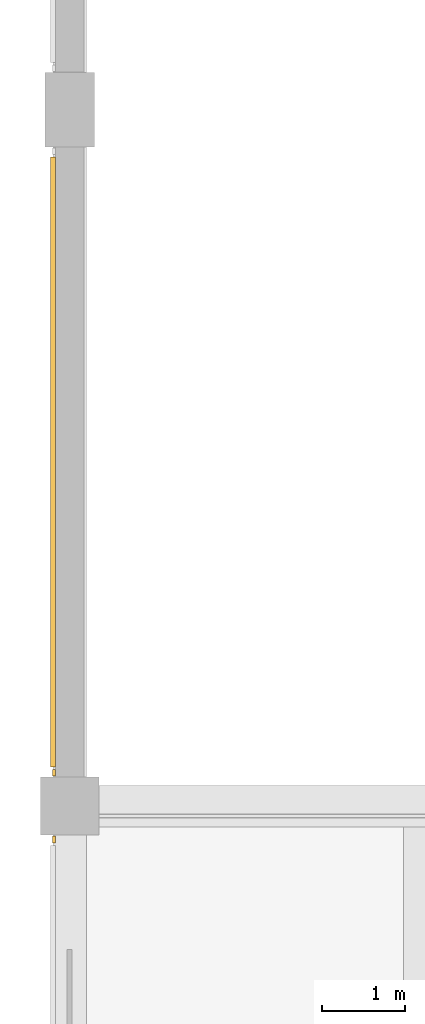
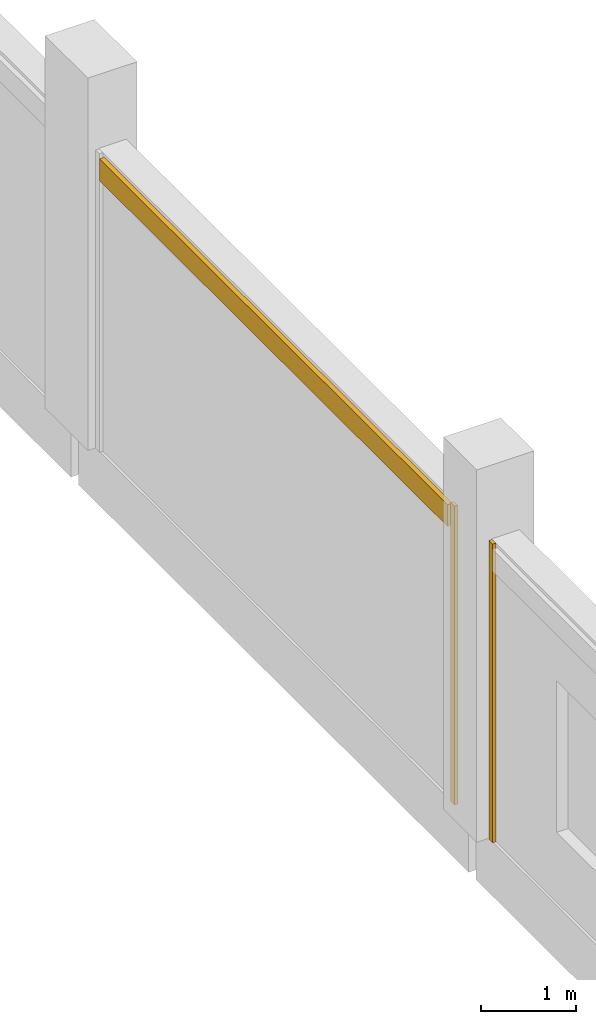
# One storey, part 121 of 128: 3 coverings.
"""IFC4 building model written with IfcOpenShell, lengths in metres."""

from ifc_helpers import new_model, si_unit, direction, frame, origin, origin_2d, place, context, subcontext, project, spatial, rectangle, extrude, material, layer, layer_set, type_object, element, save


model = new_model("IFC4")

# Units and contexts
model_context = context("Model", 3, precision=1e-05, world=origin(), true_north=direction((0.0, 1.0)))
body_context = subcontext(model_context, "Body", "Model", "MODEL_VIEW")
ifc_project = project(units=[si_unit("LENGTHUNIT", "METRE"), si_unit("AREAUNIT", "SQUARE_METRE"), si_unit("VOLUMEUNIT", "CUBIC_METRE"), si_unit("PLANEANGLEUNIT", "RADIAN"), si_unit("MASSUNIT", "GRAM", prefix="KILO")], contexts=[model_context])

# Site, building, storey
site_placement = place(None, origin())
site = spatial("IfcSite", under=ifc_project, at=site_placement, CompositionType="ELEMENT")
building_placement = place(site_placement, origin())
building = spatial("IfcBuilding", under=site, at=building_placement, Name="Telukmera Botanical Conservatory", CompositionType="ELEMENT")
storey_placement = place(building_placement, frame((0.0, 0.0, 5.39990234375)))
storey = spatial("IfcBuildingStorey", under=building, at=storey_placement, Name="L01", CompositionType="ELEMENT", Elevation=5.39990234375)

# Coverings
ifc_material_1 = material(Name="Granite-faced precast concrete C40/50", Category="masonry")
ifc_layer_1 = layer(ifc_material_1, 0.0400390625)
ifc_layer_set_1 = layer_set([ifc_layer_1], Name="Granite-faced precast concrete C40/50")
covering_type_1 = type_object("IfcCoveringType", Name="Granite Precast Column Pier Reveal Casing", PredefinedType="CLADDING", material=ifc_layer_set_1)
for number, where, z_axis, x_axis, name in (
    (1, (8.2099609375, 91.197998046875, 0.0), (0.0, 0.0, 1.0), (0.0, 1.0, 0.0), "Granite Pier Reveal V2:L01:W1 R"),
    (2, (8.2099609375, 92.001953125, 0.0), (0.0, 0.0, 1.0), (0.0, 1.0, 0.0), "Granite Pier Reveal V2:L01:W2 L"),
):
    element("IfcCovering", number, at=place(storey_placement, frame(where, z_axis=z_axis, x_axis=x_axis)), inside=storey, type_object=covering_type_1, Name=name, PredefinedType="CLADDING", context=body_context, shape_type="SweptSolid", body=[
        extrude(rectangle(XDim=0.080078125, YDim=0.0400390625, at=origin_2d()), origin(), (0.0, 0.0, 1.0), 3.85009765625),
    ])
ifc_material_2 = material(Name="Terracotta-faced precast concrete C40/50", Category="masonry")
ifc_layer_2 = layer(ifc_material_2, 0.06005859375)
ifc_layer_set_2 = layer_set([ifc_layer_2], Name="Terracotta-faced precast concrete C40/50")
covering_type_2 = type_object("IfcCoveringType", Name="Polychrome Terracotta Facade Band Cladding", PredefinedType="CLADDING", material=ifc_layer_set_2)
covering_placement = place(storey_placement, frame((8.199951171875, 95.75, 3.5302734375), z_axis=(0.0, 0.0, 1.0), x_axis=(0.0, 1.0, 0.0)))
element("IfcCovering", 3, at=covering_placement, inside=storey, type_object=covering_type_2, Name="Polychrome Terracotta Band V2:L01:W2", PredefinedType="CLADDING", context=body_context, shape_type="SweptSolid", body=[
    extrude(rectangle(XDim=7.35595703125, YDim=0.06005859375, at=origin_2d()), origin(), (0.0, 0.0, 1.0), 0.280029296875),
])

save(model, "model.ifc")
